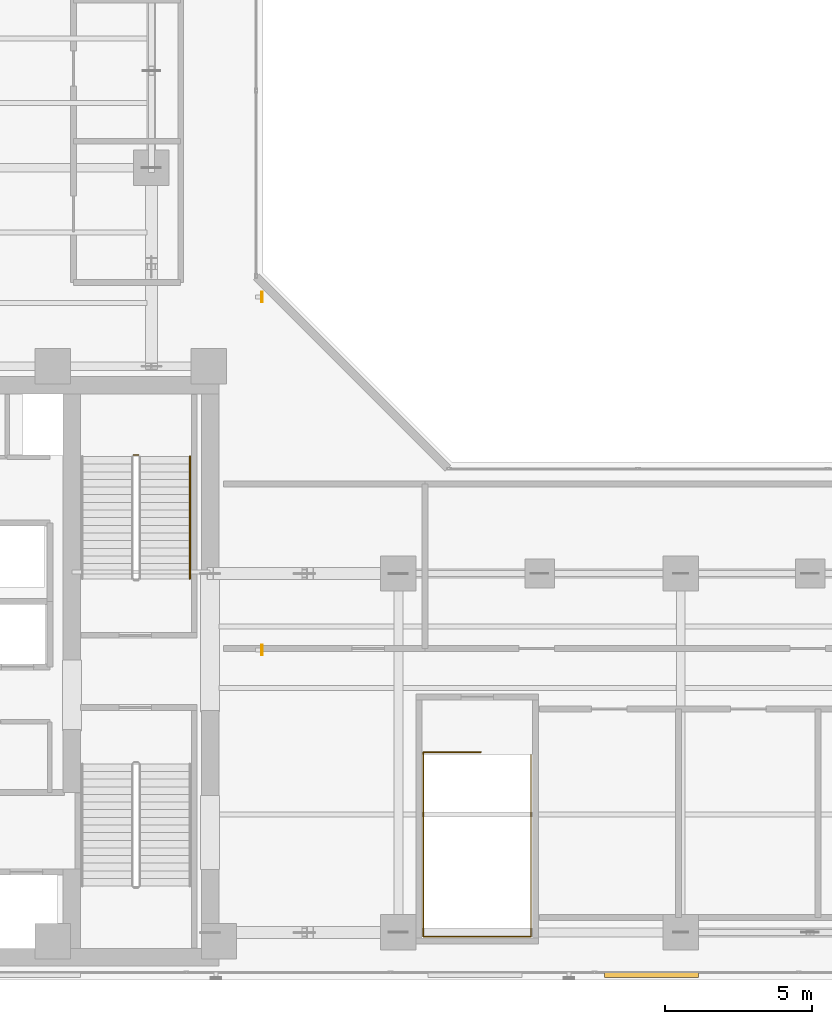
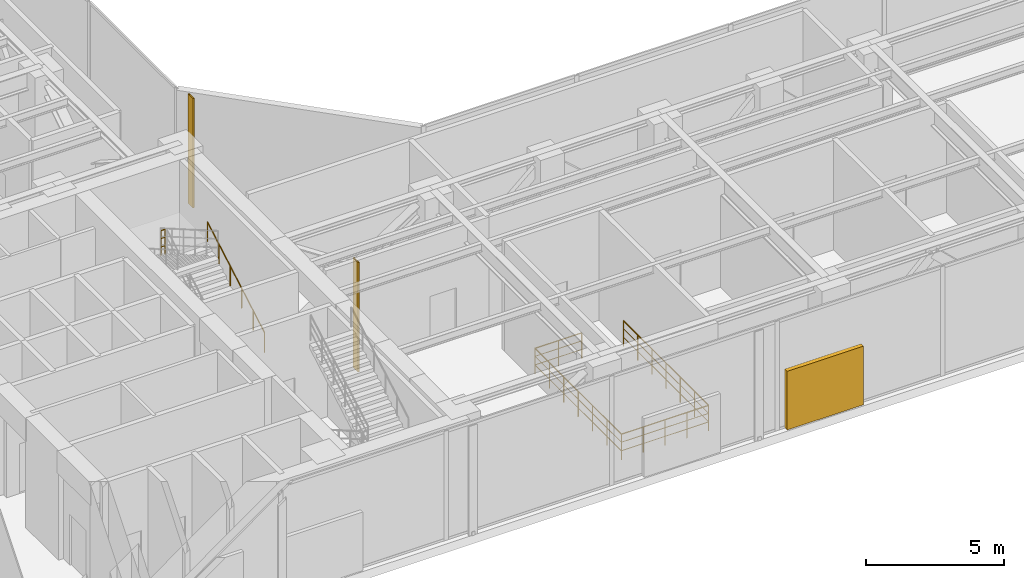
# One storey, part 35 of 36: 4 railings, 3 shading devices.
"""IFC4 building model written with IfcOpenShell, lengths in metres."""

from ifc_helpers import new_model, si_unit, direction, frame, origin, origin_with_axes, origin_2d, place, context, subcontext, project, spatial, rectangle, hollow_rectangle, circle, extrude, source, transform, mapped, material, material_profile, profile_set, type_object, element, save


model = new_model("IFC4")

# Units and contexts
model_context = context("Model", 3, precision=1e-05, world=origin(), true_north=direction((0.0, 1.0)))
body_context = subcontext(model_context, "Body", "Model", "MODEL_VIEW")
ifc_project = project(units=[si_unit("LENGTHUNIT", "METRE"), si_unit("AREAUNIT", "SQUARE_METRE"), si_unit("VOLUMEUNIT", "CUBIC_METRE"), si_unit("PLANEANGLEUNIT", "RADIAN"), si_unit("MASSUNIT", "GRAM", prefix="KILO")], contexts=[model_context])

# Site, building, storey
site_placement = place(None, origin())
site = spatial("IfcSite", under=ifc_project, at=site_placement, CompositionType="ELEMENT")
building_placement = place(site_placement, origin())
building = spatial("IfcBuilding", under=site, at=building_placement, Name="Kolvaren Waterfront Exchange", CompositionType="ELEMENT")
storey_placement = place(building_placement, frame((0.0, 0.0, 199.39990234375)))
storey = spatial("IfcBuildingStorey", under=building, at=storey_placement, Name="L51", CompositionType="ELEMENT", Elevation=199.39990234375)

# Shading devices
ifc_material_1 = material(Name="Anodised bronze aluminium 6063-T6", Category="aluminium")
ifc_material_profile = material_profile(ifc_material_1, hollow_rectangle(XDim=0.06005859375, YDim=0.35009765625, WallThickness=0.0048828125, at=origin_2d()), Name="BRZ-FIN-350x60x5")
ifc_profile_set = profile_set([ifc_material_profile], Name="Anodised bronze aluminium 6063-T6")
shading_device_type_1 = type_object("IfcShadingDeviceType", Name="ARC-FIN-350", PredefinedType="USERDEFINED", material=ifc_profile_set)
for number, where, z_axis, x_axis, name in (
    (1, (22.56005859375, 14.800048828125, 0.0), (0.0, 0.0, 1.0), (1.0, 0.0, 0.0), "L51 anodised bronze solar shading fin FIN-L51-E1"),
    (2, (22.56005859375, 26.800048828125, 0.0), (0.0, 0.0, 1.0), (1.0, 0.0, 0.0), "L51 anodised bronze solar shading fin FIN-L51-E2"),
):
    element("IfcShadingDevice", number, at=place(storey_placement, frame(where, z_axis=z_axis, x_axis=x_axis)), inside=storey, type_object=shading_device_type_1, Name=name, ObjectType="SOLAR FIN", PredefinedType="USERDEFINED", context=body_context, shape_type="SweptSolid", body=[
        extrude(hollow_rectangle(XDim=0.06005859375, YDim=0.35009765625, WallThickness=0.0048828125, at=origin_2d()), origin(), (0.0, 0.0, 1.0), 4.860107421875),
    ])

# Railings
ifc_material_2 = material(Name="Stainless steel 316", Category="steel")
railing_type_1 = type_object("IfcRailingType", Name="ARC-GUARD-STAIR", PredefinedType="GUARDRAIL", material=ifc_material_2)
railing_1_placement = place(storey_placement, frame((18.360107421875, 21.429931640625, 2.550048828125)))
element("IfcRailing", 3, at=railing_1_placement, inside=storey, type_object=railing_type_1, Name="L51 ST2 stair guard 2", PredefinedType="GUARDRAIL", context=body_context, shape_type="SweptSolid", body=[
    extrude(circle(Radius=0.02392578125, at=origin_2d()), frame((0.0, 0.0, 1.1259765625), z_axis=(-1.0, 0.0, 0.0), x_axis=(0.0, -1.0, 0.0)), (0.0, 0.0, 1.0), 0.16015625),
    extrude(circle(Radius=0.01611328125, at=origin_2d()), frame((0.0, 0.0, 0.390869140625), z_axis=(-1.0, 0.0, 0.0), x_axis=(0.0, -1.0, 0.0)), (0.0, 0.0, 1.0), 0.16015625),
    extrude(circle(Radius=0.01611328125, at=origin_2d()), frame((0.0, 0.0, 0.7705078125), z_axis=(-1.0, 0.0, 0.0), x_axis=(0.0, -1.0, 0.0)), (0.0, 0.0, 1.0), 0.16015625),
    extrude(circle(Radius=0.02099609375, at=origin_2d()), origin(), (0.0, 0.0, 1.0), 1.101806640625),
    extrude(circle(Radius=0.02099609375, at=origin_2d()), frame((-0.16015625, 0.0, 0.0)), (0.0, 0.0, 1.0), 1.101806640625),
])
railing_2_placement = place(storey_placement, frame((28.050048828125, 11.330078125, 0.0)))
element("IfcRailing", 4, at=railing_2_placement, inside=storey, type_object=railing_type_1, Name="L51 ST3 top well guard 1", PredefinedType="GUARDRAIL", context=body_context, shape_type="SweptSolid", body=[
    extrude(circle(Radius=0.02392578125, at=origin_2d()), frame((0.0, 0.0, 1.1259765625), z_axis=(1.0, 0.0, 0.0), x_axis=(0.0, 1.0, 0.0)), (0.0, 0.0, 1.0), 1.9599609375),
    extrude(circle(Radius=0.01611328125, at=origin_2d()), frame((0.0, 0.0, 0.390869140625), z_axis=(1.0, 0.0, 0.0), x_axis=(0.0, 1.0, 0.0)), (0.0, 0.0, 1.0), 1.9599609375),
    extrude(circle(Radius=0.01611328125, at=origin_2d()), frame((0.0, 0.0, 0.7705078125), z_axis=(1.0, 0.0, 0.0), x_axis=(0.0, 1.0, 0.0)), (0.0, 0.0, 1.0), 1.9599609375),
    extrude(circle(Radius=0.02099609375, at=origin_2d()), origin(), (0.0, 0.0, 1.0), 1.101806640625),
    extrude(circle(Radius=0.02099609375, at=origin_2d()), frame((0.97998046875, 0.0, 0.0)), (0.0, 0.0, 1.0), 1.101806640625),
    extrude(circle(Radius=0.02099609375, at=origin_2d()), frame((1.9599609375, 0.0, 0.0)), (0.0, 0.0, 1.0), 1.101806640625),
])
railing_3_placement = place(storey_placement, frame((28.050048828125, 11.330078125, 0.0)))
element("IfcRailing", 5, at=railing_3_placement, inside=storey, type_object=railing_type_1, Name="L51 ST3 top well guard 2", PredefinedType="GUARDRAIL", context=body_context, shape_type="SweptSolid", body=[
    extrude(circle(Radius=0.02392578125, at=origin_2d()), frame((0.0, 0.0, 1.1259765625), z_axis=(0.0, -1.0, 0.0), x_axis=(1.0, 0.0, 0.0)), (0.0, 0.0, 1.0), 6.280029296875),
    extrude(circle(Radius=0.01611328125, at=origin_2d()), frame((0.0, 0.0, 0.390869140625), z_axis=(0.0, -1.0, 0.0), x_axis=(1.0, 0.0, 0.0)), (0.0, 0.0, 1.0), 6.280029296875),
    extrude(circle(Radius=0.01611328125, at=origin_2d()), frame((0.0, 0.0, 0.7705078125), z_axis=(0.0, -1.0, 0.0), x_axis=(1.0, 0.0, 0.0)), (0.0, 0.0, 1.0), 6.280029296875),
    extrude(circle(Radius=0.02392578125, at=origin_2d()), frame((0.0, -6.280029296875, 1.1259765625), z_axis=(1.0, 0.0, 0.0), x_axis=(0.0, 1.0, 0.0)), (0.0, 0.0, 1.0), 3.659912109375),
    extrude(circle(Radius=0.01611328125, at=origin_2d()), frame((0.0, -6.280029296875, 0.390869140625), z_axis=(1.0, 0.0, 0.0), x_axis=(0.0, 1.0, 0.0)), (0.0, 0.0, 1.0), 3.659912109375),
    extrude(circle(Radius=0.01611328125, at=origin_2d()), frame((0.0, -6.280029296875, 0.7705078125), z_axis=(1.0, 0.0, 0.0), x_axis=(0.0, 1.0, 0.0)), (0.0, 0.0, 1.0), 3.659912109375),
    extrude(circle(Radius=0.02392578125, at=origin_2d()), frame((3.659912109375, -6.280029296875, 1.1259765625), z_axis=(0.0, 1.0, 0.0), x_axis=(-1.0, 0.0, 0.0)), (0.0, 0.0, 1.0), 6.179931640625),
    extrude(circle(Radius=0.01611328125, at=origin_2d()), frame((3.659912109375, -6.280029296875, 0.390869140625), z_axis=(0.0, 1.0, 0.0), x_axis=(-1.0, 0.0, 0.0)), (0.0, 0.0, 1.0), 6.179931640625),
    extrude(circle(Radius=0.01611328125, at=origin_2d()), frame((3.659912109375, -6.280029296875, 0.7705078125), z_axis=(0.0, 1.0, 0.0), x_axis=(-1.0, 0.0, 0.0)), (0.0, 0.0, 1.0), 6.179931640625),
    extrude(circle(Radius=0.02099609375, at=origin_2d()), origin(), (0.0, 0.0, 1.0), 1.101806640625),
    extrude(circle(Radius=0.02099609375, at=origin_2d()), frame((0.0, -1.046630859375, 0.0)), (0.0, 0.0, 1.0), 1.101806640625),
    extrude(circle(Radius=0.02099609375, at=origin_2d()), frame((0.0, -2.09326171875, 0.0)), (0.0, 0.0, 1.0), 1.101806640625),
    extrude(circle(Radius=0.02099609375, at=origin_2d()), frame((0.0, -3.14013671875, 0.0)), (0.0, 0.0, 1.0), 1.101806640625),
    extrude(circle(Radius=0.02099609375, at=origin_2d()), frame((0.0, -4.186767578125, 0.0)), (0.0, 0.0, 1.0), 1.101806640625),
    extrude(circle(Radius=0.02099609375, at=origin_2d()), frame((0.0, -5.2333984375, 0.0)), (0.0, 0.0, 1.0), 1.101806640625),
    extrude(circle(Radius=0.02099609375, at=origin_2d()), frame((0.0, -6.280029296875, 0.0)), (0.0, 0.0, 1.0), 1.101806640625),
    extrude(circle(Radius=0.02099609375, at=origin_2d()), frame((0.9150390625, -6.280029296875, 0.0)), (0.0, 0.0, 1.0), 1.101806640625),
    extrude(circle(Radius=0.02099609375, at=origin_2d()), frame((1.830078125, -6.280029296875, 0.0)), (0.0, 0.0, 1.0), 1.101806640625),
    extrude(circle(Radius=0.02099609375, at=origin_2d()), frame((2.744873046875, -6.280029296875, 0.0)), (0.0, 0.0, 1.0), 1.101806640625),
    extrude(circle(Radius=0.02099609375, at=origin_2d()), frame((3.659912109375, -6.280029296875, 0.0)), (0.0, 0.0, 1.0), 1.101806640625),
    extrude(circle(Radius=0.02099609375, at=origin_2d()), frame((3.659912109375, -5.25, 0.0)), (0.0, 0.0, 1.0), 1.101806640625),
    extrude(circle(Radius=0.02099609375, at=origin_2d()), frame((3.659912109375, -4.219970703125, 0.0)), (0.0, 0.0, 1.0), 1.101806640625),
    extrude(circle(Radius=0.02099609375, at=origin_2d()), frame((3.659912109375, -3.18994140625, 0.0)), (0.0, 0.0, 1.0), 1.101806640625),
    extrude(circle(Radius=0.02099609375, at=origin_2d()), frame((3.659912109375, -2.16015625, 0.0)), (0.0, 0.0, 1.0), 1.101806640625),
    extrude(circle(Radius=0.02099609375, at=origin_2d()), frame((3.659912109375, -1.130126953125, 0.0)), (0.0, 0.0, 1.0), 1.101806640625),
    extrude(circle(Radius=0.02099609375, at=origin_2d()), frame((3.659912109375, -0.10009765625, 0.0)), (0.0, 0.0, 1.0), 1.101806640625),
])
railing_type_2 = type_object("IfcRailingType", Name="ARC-HANDRAIL-900", PredefinedType="HANDRAIL", material=ifc_material_2)
railing_4_placement = place(storey_placement, frame((20.110107421875, 17.219970703125, 0.150146484375)))
element("IfcRailing", 6, at=railing_4_placement, inside=storey, type_object=railing_type_2, Name="L51 ST2 stair handrail 1", PredefinedType="HANDRAIL", context=body_context, shape_type="SweptSolid", body=[
    extrude(circle(Radius=0.02392578125, at=origin_2d()), frame((0.0, 0.0, 0.8759765625), z_axis=(0.0, 0.866189817626, 0.499715118684), x_axis=(-1.0, 0.0, 0.0)), (0.0, 0.0, 1.0), 4.802490234375),
    extrude(circle(Radius=0.02099609375, at=origin_2d()), origin(), (0.0, 0.0, 1.0), 0.851806640625),
    extrude(circle(Radius=0.02099609375, at=origin_2d()), frame((0.0, 0.83203125, 0.47998046875)), (0.0, 0.0, 1.0), 0.851806640625),
    extrude(circle(Radius=0.02099609375, at=origin_2d()), frame((0.0, 1.6640625, 0.9599609375)), (0.0, 0.0, 1.0), 0.851806640625),
    extrude(circle(Radius=0.02099609375, at=origin_2d()), frame((0.0, 2.495849609375, 1.43994140625)), (0.0, 0.0, 1.0), 0.851806640625),
    extrude(circle(Radius=0.02099609375, at=origin_2d()), frame((0.0, 3.327880859375, 1.919921875)), (0.0, 0.0, 1.0), 0.851806640625),
    extrude(circle(Radius=0.02099609375, at=origin_2d()), frame((0.0, 4.159912109375, 2.39990234375)), (0.0, 0.0, 1.0), 0.851806640625),
])

# Shading device
shading_device_type_2 = type_object("IfcShadingDeviceType", Name="ARC-SHD-LOUVRE", PredefinedType="USERDEFINED", material=ifc_material_1)
shared_shape = source(origin_with_axes(), body_context, "Body", "SweptSolid", [
    extrude(rectangle(XDim=3.199951171875, YDim=0.179931640625, at=origin_2d()), origin(), (0.0, 0.0, 1.0), 2.60009765625),
])
shading_device_placement = place(storey_placement, frame((35.800048828125, 3.75, 0.0), z_axis=(0.0, 0.0, 1.0), x_axis=(1.0, 0.0, 0.0)))
element("IfcShadingDevice", 7, at=shading_device_placement, inside=storey, type_object=shading_device_type_2, Name="L51 acoustic weather intake louvre 4", ObjectType="LOUVRE", PredefinedType="USERDEFINED", context=body_context, shape_type="MappedRepresentation", body=[
    mapped(shared_shape, transform((0.0, 0.0, 0.0), x_axis=(1.0, 0.0, 0.0), y_axis=(0.0, 1.0, 0.0), z_axis=(0.0, 0.0, 1.0), scale=1.0)),
])

save(model, "model.ifc")
